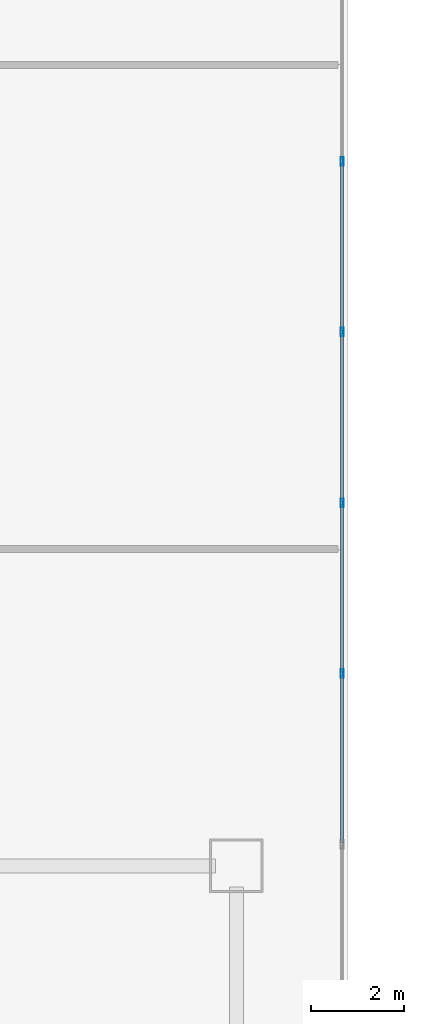
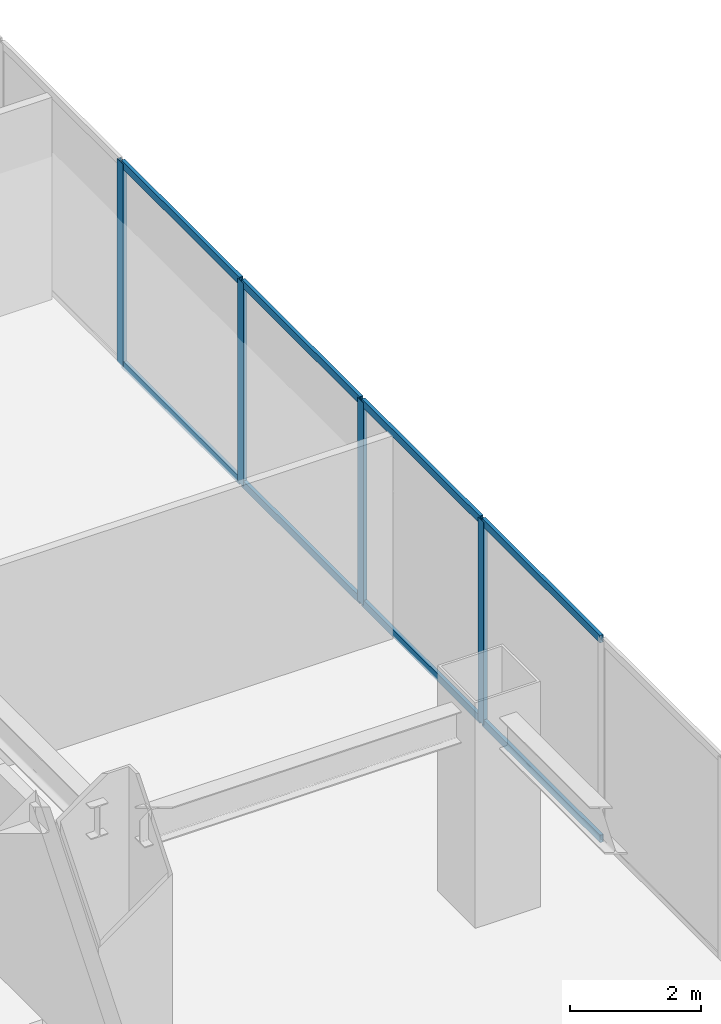
# One storey, part 20 of 32: 12 members, 1 element without a shape of its own.
"""IFC4 building model written with IfcOpenShell, lengths in metres."""

from ifc_helpers import new_model, si_unit, direction, frame, origin, origin_2d, place, context, subcontext, project, spatial, hollow_rectangle, extrude, material, layer, layer_set, material_profile, profile_set, type_object, element, aggregate, save


model = new_model("IFC4")

# Units and contexts
model_context = context("Model", 3, precision=1e-05, world=origin(), true_north=direction((0.0, 1.0)))
body_context = subcontext(model_context, "Body", "Model", "MODEL_VIEW")
ifc_project = project(units=[si_unit("LENGTHUNIT", "METRE"), si_unit("AREAUNIT", "SQUARE_METRE"), si_unit("VOLUMEUNIT", "CUBIC_METRE"), si_unit("PLANEANGLEUNIT", "RADIAN"), si_unit("MASSUNIT", "GRAM", prefix="KILO")], contexts=[model_context])

# Site, building, storey
site_placement = place(None, origin())
site = spatial("IfcSite", under=ifc_project, at=site_placement, CompositionType="ELEMENT")
building_placement = place(site_placement, origin())
building = spatial("IfcBuilding", under=site, at=building_placement, Name="Haolan Belvedere Tower", CompositionType="ELEMENT")
storey_placement = place(building_placement, frame((0.0, 0.0, 15.60009765625)))
storey = spatial("IfcBuildingStorey", under=building, at=storey_placement, Name="L03", CompositionType="ELEMENT", Elevation=15.60009765625)

# Curtain wall, members
ifc_material_1 = material(Name="Anodised champagne-silver aluminium 6063-T6 and Low-E glass", Category="aluminium")
ifc_layer = layer(ifc_material_1, 0.179931640625, Name="Anodised champagne-silver aluminium 6063-T6 and Low-E glass")
ifc_layer_set = layer_set([ifc_layer], Name="Anodised champagne-silver aluminium 6063-T6 and Low-E glass")
curtain_wall_type = type_object("IfcCurtainWallType", Name="CW-SYS-01", PredefinedType="NOTDEFINED", material=ifc_layer_set)
curtain_wall_placement = place(storey_placement, origin())
curtain_wall = element("IfcCurtainWall", 1, at=curtain_wall_placement, inside=storey, type_object=curtain_wall_type, Name="L03 CW-SYS-01 ribbon curtain wall 2.1", PredefinedType="NOTDEFINED")
ifc_material_2 = material(Name="Anodised aluminium 6063-T6", Category="aluminium")
ifc_material_profile_1 = material_profile(ifc_material_2, hollow_rectangle(XDim=0.06494140625, YDim=0.179931640625, WallThickness=0.00390625, at=origin_2d()), Name="Anodised aluminium 6063-T6")
ifc_profile_set_1 = profile_set([ifc_material_profile_1], Name="Anodised aluminium 6063-T6")
member_type_1 = type_object("IfcMemberType", Name="CW-SYS-01-MUL", PredefinedType="MULLION", material=ifc_profile_set_1)
member_1_placement = place(storey_placement, frame((73.070068359375, 31.728515625, 0.0), z_axis=(0.0, 0.0, 1.0), x_axis=(-1.0, 0.0, 0.0)))
member_1 = element("IfcMember", 2, at=member_1_placement, type_object=member_type_1, Name="CW-01 mullion 6", PredefinedType="MULLION", context=body_context, shape_type="SweptSolid", body=[
    extrude(hollow_rectangle(XDim=0.06494140625, YDim=0.179931640625, WallThickness=0.00390625, at=origin_2d()), origin(), (0.0, 0.0, 1.0), 3.77978515625),
])
member_2_placement = place(storey_placement, frame((73.070068359375, 35.395263671875, 0.0), z_axis=(0.0, 0.0, 1.0), x_axis=(-1.0, 0.0, 0.0)))
member_2 = element("IfcMember", 3, at=member_2_placement, type_object=member_type_1, Name="CW-01 mullion 7", PredefinedType="MULLION", context=body_context, shape_type="SweptSolid", body=[
    extrude(hollow_rectangle(XDim=0.06494140625, YDim=0.179931640625, WallThickness=0.00390625, at=origin_2d()), origin(), (0.0, 0.0, 1.0), 3.77978515625),
])
member_3_placement = place(storey_placement, frame((73.070068359375, 39.062255859375, 0.0), z_axis=(0.0, 0.0, 1.0), x_axis=(-1.0, 0.0, 0.0)))
member_3 = element("IfcMember", 4, at=member_3_placement, type_object=member_type_1, Name="CW-01 mullion 8", PredefinedType="MULLION", context=body_context, shape_type="SweptSolid", body=[
    extrude(hollow_rectangle(XDim=0.06494140625, YDim=0.179931640625, WallThickness=0.00390625, at=origin_2d()), origin(), (0.0, 0.0, 1.0), 3.77978515625),
])
member_4_placement = place(storey_placement, frame((73.070068359375, 42.729248046875, 0.0), z_axis=(0.0, 0.0, 1.0), x_axis=(-1.0, 0.0, 0.0)))
member_4 = element("IfcMember", 5, at=member_4_placement, type_object=member_type_1, Name="CW-01 mullion 9", PredefinedType="MULLION", context=body_context, shape_type="SweptSolid", body=[
    extrude(hollow_rectangle(XDim=0.06494140625, YDim=0.179931640625, WallThickness=0.00390625, at=origin_2d()), origin(), (0.0, 0.0, 1.0), 3.77978515625),
])
ifc_material_profile_2 = material_profile(ifc_material_2, hollow_rectangle(XDim=0.06005859375, YDim=0.139892578125, WallThickness=0.00390625, at=origin_2d()), Name="Anodised aluminium 6063-T6")
ifc_profile_set_2 = profile_set([ifc_material_profile_2], Name="Anodised aluminium 6063-T6")
member_type_2 = type_object("IfcMemberType", Name="CW-SYS-01-TRN", PredefinedType="USERDEFINED", material=ifc_profile_set_2)
member_5_placement = place(storey_placement, frame((73.070068359375, 28.093994140625, 0.02978515625), z_axis=(0.0, 1.0, 0.0), x_axis=(-1.0, 0.0, 0.0)))
member_5 = element("IfcMember", 6, at=member_5_placement, type_object=member_type_2, Name="CW-01 transom 5.1", ObjectType="TRANSOM", PredefinedType="USERDEFINED", context=body_context, shape_type="SweptSolid", body=[
    extrude(hollow_rectangle(XDim=0.06005859375, YDim=0.139892578125, WallThickness=0.00390625, at=origin_2d()), origin(), (0.0, 0.0, 1.0), 3.60205078125),
])
member_6_placement = place(storey_placement, frame((73.070068359375, 28.093994140625, 3.75), z_axis=(0.0, 1.0, 0.0), x_axis=(-1.0, 0.0, 0.0)))
member_6 = element("IfcMember", 7, at=member_6_placement, type_object=member_type_2, Name="CW-01 transom 5.2", ObjectType="TRANSOM", PredefinedType="USERDEFINED", context=body_context, shape_type="SweptSolid", body=[
    extrude(hollow_rectangle(XDim=0.06005859375, YDim=0.139892578125, WallThickness=0.00390625, at=origin_2d()), origin(), (0.0, 0.0, 1.0), 3.60205078125),
])
member_7_placement = place(storey_placement, frame((73.070068359375, 31.760986328125, 0.02978515625), z_axis=(0.0, 1.0, 0.0), x_axis=(-1.0, 0.0, 0.0)))
member_7 = element("IfcMember", 8, at=member_7_placement, type_object=member_type_2, Name="CW-01 transom 6.1", ObjectType="TRANSOM", PredefinedType="USERDEFINED", context=body_context, shape_type="SweptSolid", body=[
    extrude(hollow_rectangle(XDim=0.06005859375, YDim=0.139892578125, WallThickness=0.00390625, at=origin_2d()), origin(), (0.0, 0.0, 1.0), 3.601806640625),
])
member_8_placement = place(storey_placement, frame((73.070068359375, 31.760986328125, 3.75), z_axis=(0.0, 1.0, 0.0), x_axis=(-1.0, 0.0, 0.0)))
member_8 = element("IfcMember", 9, at=member_8_placement, type_object=member_type_2, Name="CW-01 transom 6.2", ObjectType="TRANSOM", PredefinedType="USERDEFINED", context=body_context, shape_type="SweptSolid", body=[
    extrude(hollow_rectangle(XDim=0.06005859375, YDim=0.139892578125, WallThickness=0.00390625, at=origin_2d()), origin(), (0.0, 0.0, 1.0), 3.601806640625),
])
member_9_placement = place(storey_placement, frame((73.070068359375, 35.427978515625, 0.02978515625), z_axis=(0.0, 1.0, 0.0), x_axis=(-1.0, 0.0, 0.0)))
member_9 = element("IfcMember", 10, at=member_9_placement, type_object=member_type_2, Name="CW-01 transom 7.1", ObjectType="TRANSOM", PredefinedType="USERDEFINED", context=body_context, shape_type="SweptSolid", body=[
    extrude(hollow_rectangle(XDim=0.06005859375, YDim=0.139892578125, WallThickness=0.00390625, at=origin_2d()), origin(), (0.0, 0.0, 1.0), 3.601806640625),
])
member_10_placement = place(storey_placement, frame((73.070068359375, 35.427978515625, 3.75), z_axis=(0.0, 1.0, 0.0), x_axis=(-1.0, 0.0, 0.0)))
member_10 = element("IfcMember", 11, at=member_10_placement, type_object=member_type_2, Name="CW-01 transom 7.2", ObjectType="TRANSOM", PredefinedType="USERDEFINED", context=body_context, shape_type="SweptSolid", body=[
    extrude(hollow_rectangle(XDim=0.06005859375, YDim=0.139892578125, WallThickness=0.00390625, at=origin_2d()), origin(), (0.0, 0.0, 1.0), 3.601806640625),
])
member_11_placement = place(storey_placement, frame((73.070068359375, 39.0947265625, 0.02978515625), z_axis=(0.0, 1.0, 0.0), x_axis=(-1.0, 0.0, 0.0)))
member_11 = element("IfcMember", 12, at=member_11_placement, type_object=member_type_2, Name="CW-01 transom 8.1", ObjectType="TRANSOM", PredefinedType="USERDEFINED", context=body_context, shape_type="SweptSolid", body=[
    extrude(hollow_rectangle(XDim=0.06005859375, YDim=0.139892578125, WallThickness=0.00390625, at=origin_2d()), origin(), (0.0, 0.0, 1.0), 3.60205078125),
])
member_12_placement = place(storey_placement, frame((73.070068359375, 39.0947265625, 3.75), z_axis=(0.0, 1.0, 0.0), x_axis=(-1.0, 0.0, 0.0)))
member_12 = element("IfcMember", 13, at=member_12_placement, type_object=member_type_2, Name="CW-01 transom 8.2", ObjectType="TRANSOM", PredefinedType="USERDEFINED", context=body_context, shape_type="SweptSolid", body=[
    extrude(hollow_rectangle(XDim=0.06005859375, YDim=0.139892578125, WallThickness=0.00390625, at=origin_2d()), origin(), (0.0, 0.0, 1.0), 3.60205078125),
])
aggregate(curtain_wall, [member_1, member_2, member_3, member_4, member_5, member_6, member_7, member_8, member_9, member_10, member_11, member_12])

save(model, "model.ifc")
